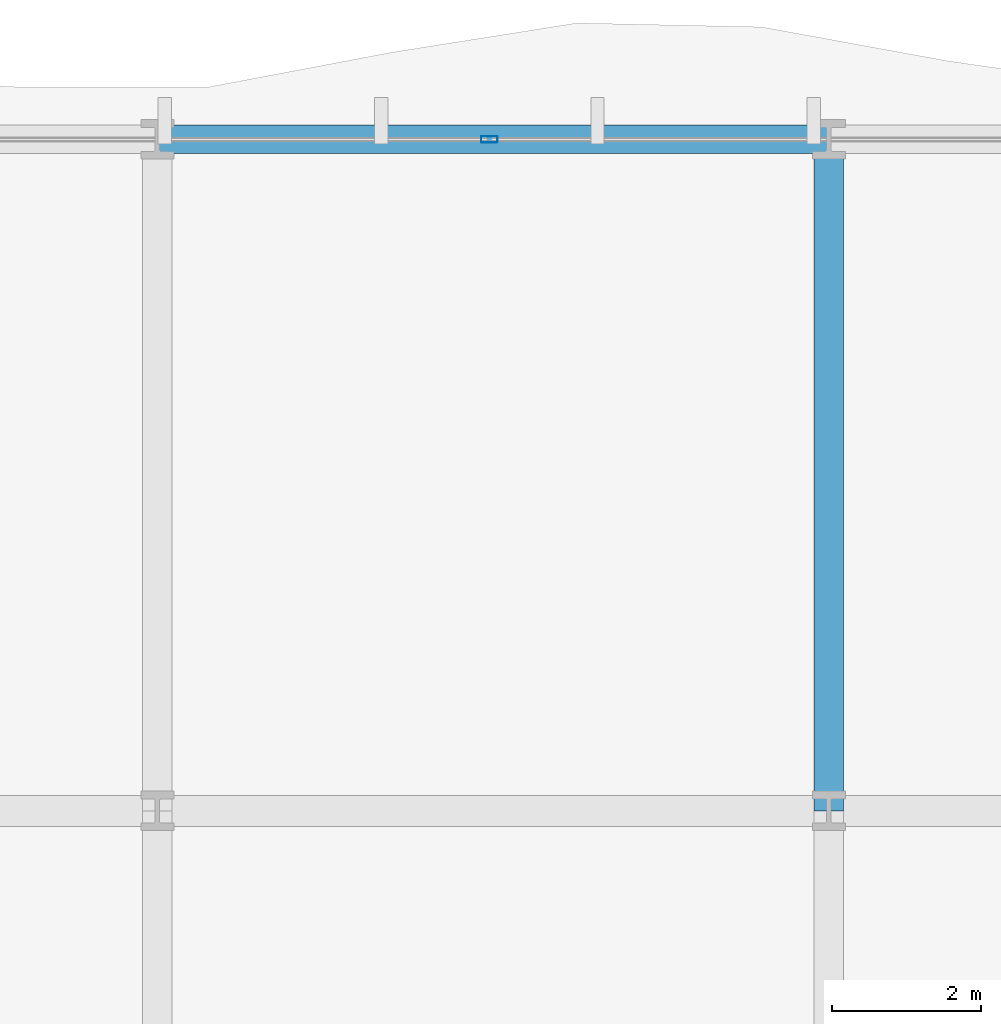
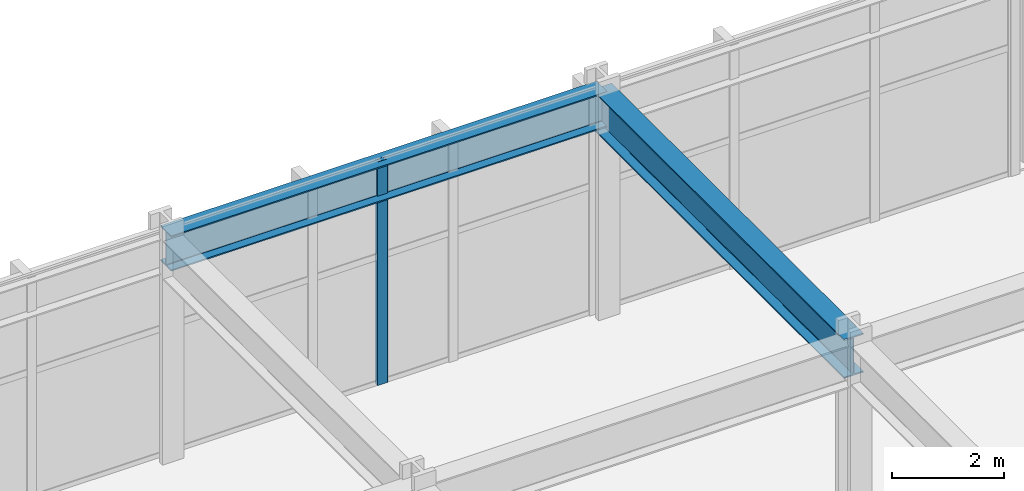
# One storey, part 20 of 31: 2 beams, 1 member, 1 element without a shape of its own.
"""IFC4 building model written with IfcOpenShell, lengths in metres."""

from ifc_helpers import new_model, si_unit, direction, frame, origin, origin_2d, place, context, subcontext, project, spatial, hollow_rectangle, i_section, extrude, material, layer, layer_set, material_profile, profile_set, type_object, element, aggregate, save


model = new_model("IFC4")

# Units and contexts
model_context = context("Model", 3, precision=1e-05, world=origin(), true_north=direction((0.0, 1.0)))
body_context = subcontext(model_context, "Body", "Model", "MODEL_VIEW")
ifc_project = project(units=[si_unit("LENGTHUNIT", "METRE"), si_unit("AREAUNIT", "SQUARE_METRE"), si_unit("VOLUMEUNIT", "CUBIC_METRE"), si_unit("PLANEANGLEUNIT", "RADIAN"), si_unit("MASSUNIT", "GRAM", prefix="KILO")], contexts=[model_context])

# Site, building, storey
site_placement = place(None, origin())
site = spatial("IfcSite", under=ifc_project, at=site_placement, CompositionType="ELEMENT")
building_placement = place(site_placement, origin())
building = spatial("IfcBuilding", under=site, at=building_placement, Name="Solvaryn Broadcast Tower", CompositionType="ELEMENT")
storey_placement = place(building_placement, frame((0.0, 0.0, 11.0)))
storey = spatial("IfcBuildingStorey", under=building, at=storey_placement, Name="L02", CompositionType="ELEMENT", Elevation=11.0)

# Beams
ifc_material_1 = material(Name="Steel ASTM A992 Grade 50", Category="steel")
ifc_material_profile_1 = material_profile(ifc_material_1, i_section(OverallWidth=0.39990234375, OverallDepth=0.85498046875, WebThickness=0.018310546875, FlangeThickness=0.029296875, FilletRadius=0.02001953125, at=origin_2d()))
ifc_profile_set_1 = profile_set([ifc_material_profile_1], Name="Steel ASTM A992 Grade 50")
beam_type_1 = type_object("IfcBeamType", Name="BM-G3-W33X201", PredefinedType="BEAM", material=ifc_profile_set_1)
beam_1_placement = place(storey_placement, frame((54.0, 45.0, 4.452392578125), z_axis=(0.0, 1.0, 0.0), x_axis=(-1.0, 0.0, 0.0)))
element("IfcBeam", 1, at=beam_1_placement, inside=storey, type_object=beam_type_1, Name="L02 Primary Beam Y (45-54 @ X=54)", PredefinedType="BEAM", context=body_context, shape_type="SweptSolid", body=[
    extrude(i_section(OverallWidth=0.39990234375, OverallDepth=0.85498046875, WebThickness=0.018310546875, FlangeThickness=0.029296875, FilletRadius=0.02001953125, at=origin_2d()), origin(), (0.0, 0.0, 1.0), 9.0),
])
ifc_material_2 = material(Name="Steel ASTM A992 Grade 50", Category="steel")
ifc_material_profile_2 = material_profile(ifc_material_2, i_section(OverallWidth=0.381103515625, OverallDepth=0.77294921875, WebThickness=0.0166015625, FlangeThickness=0.027099609375, FilletRadius=0.01806640625, at=origin_2d()))
ifc_profile_set_2 = profile_set([ifc_material_profile_2], Name="Steel ASTM A992 Grade 50")
beam_type_2 = type_object("IfcBeamType", Name="BM-SP1-W30X173", PredefinedType="USERDEFINED", material=ifc_profile_set_2)
beam_2_placement = place(storey_placement, frame((45.0, 54.0, 4.493408203125), z_axis=(1.0, 0.0, 0.0), x_axis=(0.0, 1.0, 0.0)))
element("IfcBeam", 2, at=beam_2_placement, inside=storey, type_object=beam_type_2, Name="L02 Spandrel Beam X (45-54 @ Y=54)", ObjectType="SPANDREL", PredefinedType="USERDEFINED", context=body_context, shape_type="SweptSolid", body=[
    extrude(i_section(OverallWidth=0.381103515625, OverallDepth=0.77294921875, WebThickness=0.0166015625, FlangeThickness=0.027099609375, FilletRadius=0.01806640625, at=origin_2d()), origin(), (0.0, 0.0, 1.0), 9.0),
])

# Curtain wall, member
ifc_material_3 = material(Name="Aluminium and Terracotta Unitised Curtain Wall", Category="masonry")
ifc_layer = layer(ifc_material_3, 0.219970703125)
ifc_layer_set = layer_set([ifc_layer], Name="CW-SYS1-PODIUM")
curtain_wall_type = type_object("IfcCurtainWallType", Name="CW-SYS1-PODIUM", PredefinedType="NOTDEFINED", material=ifc_layer_set)
curtain_wall_placement = place(storey_placement, origin())
curtain_wall = element("IfcCurtainWall", 3, at=curtain_wall_placement, inside=storey, type_object=curtain_wall_type, Name="L02 Podium Curtain Wall N2", PredefinedType="NOTDEFINED")
ifc_material_4 = material(Name="Anodised Aluminium 6063-T6", Category="aluminium")
ifc_material_profile_3 = material_profile(ifc_material_4, hollow_rectangle(XDim=0.0849609375, YDim=0.219970703125, WallThickness=0.0048828125, InnerFilletRadius=0.0048828125, OuterFilletRadius=0.010009765625, at=origin_2d()))
ifc_profile_set_3 = profile_set([ifc_material_profile_3], Name="Anodised Aluminium 6063-T6")
member_type = type_object("IfcMemberType", Name="CW-MUL-220", PredefinedType="MULLION", material=ifc_profile_set_3)
member_placement = place(storey_placement, frame((49.449951171875, 54.0, 0.0), z_axis=(0.0, 0.0, 1.0), x_axis=(0.0, 1.0, 0.0)))
member = element("IfcMember", 4, at=member_placement, type_object=member_type, Name="CWS1 mullion 2", PredefinedType="MULLION", context=body_context, shape_type="SweptSolid", body=[
    extrude(hollow_rectangle(XDim=0.0849609375, YDim=0.219970703125, WallThickness=0.0048828125, InnerFilletRadius=0.0048828125, OuterFilletRadius=0.010009765625, at=origin_2d()), origin(), (0.0, 0.0, 1.0), 4.8798828125),
])
aggregate(curtain_wall, [member])

save(model, "model.ifc")
